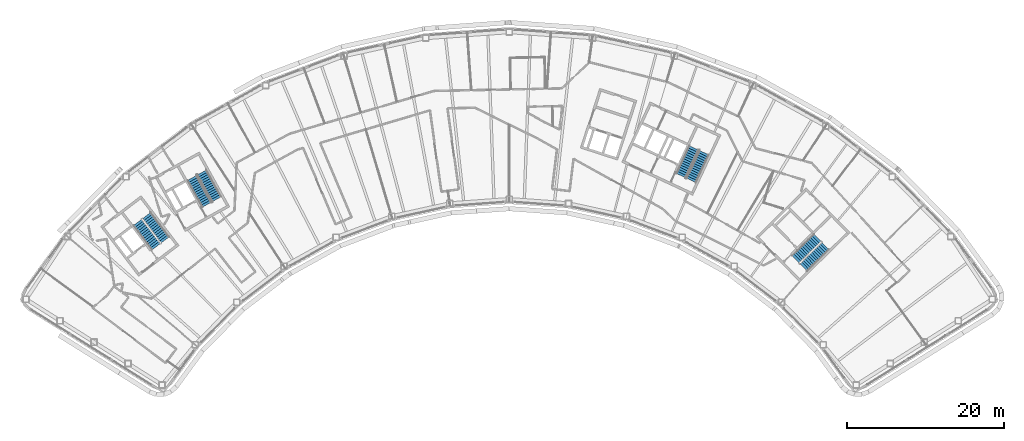
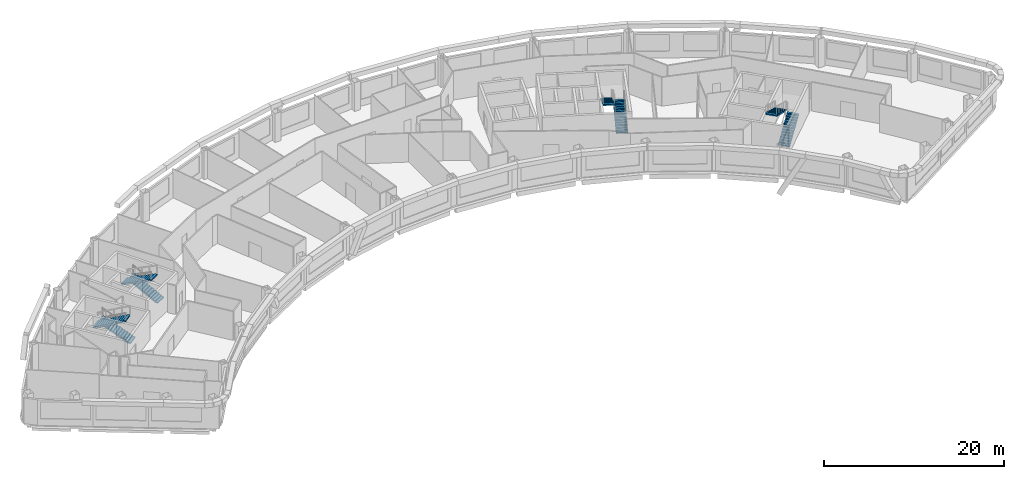
# One storey, part 12 of 14: 8 stair flights, 4 elements without a shape of their own.
"""IFC4 building model written with IfcOpenShell, lengths in metres."""

from ifc_helpers import new_model, si_unit, direction, frame, origin, place, context, subcontext, project, spatial, polyline, outline, extrude, material, type_object, element, aggregate, save


model = new_model("IFC4")

# Units and contexts
model_context = context("Model", 3, precision=1e-05, world=origin(), true_north=direction((0.0, 1.0)))
body_context = subcontext(model_context, "Body", "Model", "MODEL_VIEW")
ifc_project = project(units=[si_unit("LENGTHUNIT", "METRE"), si_unit("AREAUNIT", "SQUARE_METRE"), si_unit("VOLUMEUNIT", "CUBIC_METRE"), si_unit("PLANEANGLEUNIT", "RADIAN"), si_unit("MASSUNIT", "GRAM", prefix="KILO")], contexts=[model_context])

# Site, building, storey
site_placement = place(None, origin())
site = spatial("IfcSite", under=ifc_project, at=site_placement, CompositionType="ELEMENT")
building_placement = place(site_placement, origin())
building = spatial("IfcBuilding", under=site, at=building_placement, Name="Tuul Gate Civic Tower", CompositionType="ELEMENT")
storey_placement = place(building_placement, frame((0.0, 0.0, 269.39990234375)))
storey = spatial("IfcBuildingStorey", under=building, at=storey_placement, Name="Level 61", CompositionType="ELEMENT", Elevation=269.39990234375)

# Stair, stair flights
ifc_material_1 = material(Name="Concrete C40/50", Category="concrete")
stair_type = type_object("IfcStairType", Name="Exit stair", PredefinedType="HALF_TURN_STAIR", material=ifc_material_1)
stair_1_placement = place(storey_placement, origin())
stair_1 = element("IfcStair", 1, at=stair_1_placement, inside=storey, type_object=stair_type, Name="Level 61 ST-1", PredefinedType="HALF_TURN_STAIR")
ifc_material_2 = material(Name="Concrete C40/50", Category="concrete")
stair_flight_type = type_object("IfcStairFlightType", Name="Exit stair flight", PredefinedType="STRAIGHT", material=ifc_material_2)
stair_flight_1_placement = place(storey_placement, frame((-32.875244140625, -13.066650390625, 0.0), z_axis=(0.0, 0.0, 1.0), x_axis=(-0.605764474941, 0.795644016442, 0.0)))
stair_flight_1 = element("IfcStairFlight", 2, at=stair_flight_1_placement, type_object=stair_flight_type, Name="ST-1 flight 1", NumberOfRisers=14, NumberOfTreads=13, PredefinedType="STRAIGHT", RiserHeight=0.15, TreadLength=0.3, context=body_context, shape_type="SweptSolid", body=[
    extrude(outline(polyline([(0.0, 0.0), (0.0, 0.14990234375), (0.300048828125, 0.14990234375), (0.300048828125, 0.300048828125), (0.60009765625, 0.300048828125), (0.60009765625, 0.449951171875), (0.89990234375, 0.449951171875), (0.89990234375, 0.60009765625), (1.199951171875, 0.60009765625), (1.199951171875, 0.75), (1.5, 0.75), (1.5, 0.89990234375), (1.800048828125, 0.89990234375), (1.800048828125, 1.050048828125), (2.10009765625, 1.050048828125), (2.10009765625, 1.199951171875), (2.39990234375, 1.199951171875), (2.39990234375, 1.35009765625), (2.699951171875, 1.35009765625), (2.699951171875, 1.5), (3.0, 1.5), (3.0, 1.64990234375), (3.300048828125, 1.64990234375), (3.300048828125, 1.800048828125), (3.60009765625, 1.800048828125), (3.60009765625, 1.949951171875), (3.89990234375, 1.949951171875), (3.89990234375, 2.10009765625), (3.89990234375, 1.782470703125), (0.335205078125, 0.0), (0.0, 0.0)])), frame((0.0, 0.675048828125, 0.0), z_axis=(0.0, -1.0, 0.0), x_axis=(1.0, 0.0, 0.0)), (0.0, 0.0, 1.0), 1.35009765625),
])
stair_flight_2_placement = place(storey_placement, frame((-36.391357421875, -10.842041015625, 2.10009765625), z_axis=(0.0, 0.0, 1.0), x_axis=(0.605764474941, -0.795644016442, 0.0)))
stair_flight_2 = element("IfcStairFlight", 3, at=stair_flight_2_placement, type_object=stair_flight_type, Name="ST-1 flight 2", NumberOfRisers=14, NumberOfTreads=13, PredefinedType="STRAIGHT", RiserHeight=0.15, TreadLength=0.3, context=body_context, shape_type="SweptSolid", body=[
    extrude(outline(polyline([(0.0, 0.0), (0.0, 0.14990234375), (0.300048828125, 0.14990234375), (0.300048828125, 0.300048828125), (0.60009765625, 0.300048828125), (0.60009765625, 0.449951171875), (0.89990234375, 0.449951171875), (0.89990234375, 0.60009765625), (1.199951171875, 0.60009765625), (1.199951171875, 0.75), (1.5, 0.75), (1.5, 0.89990234375), (1.800048828125, 0.89990234375), (1.800048828125, 1.050048828125), (2.10009765625, 1.050048828125), (2.10009765625, 1.199951171875), (2.39990234375, 1.199951171875), (2.39990234375, 1.35009765625), (2.699951171875, 1.35009765625), (2.699951171875, 1.5), (3.0, 1.5), (3.0, 1.64990234375), (3.300048828125, 1.64990234375), (3.300048828125, 1.800048828125), (3.60009765625, 1.800048828125), (3.60009765625, 1.949951171875), (3.89990234375, 1.949951171875), (3.89990234375, 2.10009765625), (3.89990234375, 1.782470703125), (0.335205078125, 0.0), (0.0, 0.0)])), frame((0.0, 0.675048828125, 0.0), z_axis=(0.0, -1.0, 0.0), x_axis=(1.0, 0.0, 0.0)), (0.0, 0.0, 1.0), 1.35009765625),
])
aggregate(stair_1, [stair_flight_1, stair_flight_2])

stair_2_placement = place(storey_placement, origin())
stair_2 = element("IfcStair", 4, at=stair_2_placement, inside=storey, type_object=stair_type, Name="Level 61 ST-2", PredefinedType="HALF_TURN_STAIR")
stair_flight_3_placement = place(storey_placement, frame((-26.29150390625, -7.87646484375, 0.0), z_axis=(0.0, 0.0, 1.0), x_axis=(-0.484761763766, 0.874646232708, 0.0)))
stair_flight_3 = element("IfcStairFlight", 5, at=stair_flight_3_placement, type_object=stair_flight_type, Name="ST-2 flight 1", NumberOfRisers=14, NumberOfTreads=13, PredefinedType="STRAIGHT", RiserHeight=0.15, TreadLength=0.3, context=body_context, shape_type="SweptSolid", body=[
    extrude(outline(polyline([(0.0, 0.0), (0.0, 0.14990234375), (0.300048828125, 0.14990234375), (0.300048828125, 0.300048828125), (0.60009765625, 0.300048828125), (0.60009765625, 0.449951171875), (0.89990234375, 0.449951171875), (0.89990234375, 0.60009765625), (1.199951171875, 0.60009765625), (1.199951171875, 0.75), (1.5, 0.75), (1.5, 0.89990234375), (1.800048828125, 0.89990234375), (1.800048828125, 1.050048828125), (2.10009765625, 1.050048828125), (2.10009765625, 1.199951171875), (2.39990234375, 1.199951171875), (2.39990234375, 1.35009765625), (2.699951171875, 1.35009765625), (2.699951171875, 1.5), (3.0, 1.5), (3.0, 1.64990234375), (3.300048828125, 1.64990234375), (3.300048828125, 1.800048828125), (3.60009765625, 1.800048828125), (3.60009765625, 1.949951171875), (3.89990234375, 1.949951171875), (3.89990234375, 2.10009765625), (3.89990234375, 1.782470703125), (0.335205078125, 0.0), (0.0, 0.0)])), frame((0.0, 0.675048828125, 0.0), z_axis=(0.0, -1.0, 0.0), x_axis=(1.0, 0.0, 0.0)), (0.0, 0.0, 1.0), 1.35009765625),
])
stair_flight_4_placement = place(storey_placement, frame((-29.450439453125, -5.168212890625, 2.10009765625), z_axis=(0.0, 0.0, 1.0), x_axis=(0.484761763766, -0.874646232708, 0.0)))
stair_flight_4 = element("IfcStairFlight", 6, at=stair_flight_4_placement, type_object=stair_flight_type, Name="ST-2 flight 2", NumberOfRisers=14, NumberOfTreads=13, PredefinedType="STRAIGHT", RiserHeight=0.15, TreadLength=0.3, context=body_context, shape_type="SweptSolid", body=[
    extrude(outline(polyline([(0.0, 0.0), (0.0, 0.14990234375), (0.300048828125, 0.14990234375), (0.300048828125, 0.300048828125), (0.60009765625, 0.300048828125), (0.60009765625, 0.449951171875), (0.89990234375, 0.449951171875), (0.89990234375, 0.60009765625), (1.199951171875, 0.60009765625), (1.199951171875, 0.75), (1.5, 0.75), (1.5, 0.89990234375), (1.800048828125, 0.89990234375), (1.800048828125, 1.050048828125), (2.10009765625, 1.050048828125), (2.10009765625, 1.199951171875), (2.39990234375, 1.199951171875), (2.39990234375, 1.35009765625), (2.699951171875, 1.35009765625), (2.699951171875, 1.5), (3.0, 1.5), (3.0, 1.64990234375), (3.300048828125, 1.64990234375), (3.300048828125, 1.800048828125), (3.60009765625, 1.800048828125), (3.60009765625, 1.949951171875), (3.89990234375, 1.949951171875), (3.89990234375, 2.10009765625), (3.89990234375, 1.782470703125), (0.335205078125, 0.0), (0.0, 0.0)])), frame((0.0, 0.675048828125, 0.0), z_axis=(0.0, -1.0, 0.0), x_axis=(1.0, 0.0, 0.0)), (0.0, 0.0, 1.0), 1.35009765625),
])
aggregate(stair_2, [stair_flight_3, stair_flight_4])

stair_3_placement = place(storey_placement, origin())
stair_3 = element("IfcStair", 7, at=stair_3_placement, inside=storey, type_object=stair_type, Name="Level 61 ST-3", PredefinedType="HALF_TURN_STAIR")
stair_flight_5_placement = place(storey_placement, frame((48.61376953125, -16.581787109375, 0.0), z_axis=(0.0, 0.0, 1.0), x_axis=(0.714127290059, 0.700015866672, 0.0)))
stair_flight_5 = element("IfcStairFlight", 8, at=stair_flight_5_placement, type_object=stair_flight_type, Name="ST-3 flight 1", NumberOfRisers=14, NumberOfTreads=13, PredefinedType="STRAIGHT", RiserHeight=0.15, TreadLength=0.3, context=body_context, shape_type="SweptSolid", body=[
    extrude(outline(polyline([(0.0, 0.0), (0.0, 0.14990234375), (0.300048828125, 0.14990234375), (0.300048828125, 0.300048828125), (0.60009765625, 0.300048828125), (0.60009765625, 0.449951171875), (0.89990234375, 0.449951171875), (0.89990234375, 0.60009765625), (1.199951171875, 0.60009765625), (1.199951171875, 0.75), (1.5, 0.75), (1.5, 0.89990234375), (1.800048828125, 0.89990234375), (1.800048828125, 1.050048828125), (2.10009765625, 1.050048828125), (2.10009765625, 1.199951171875), (2.39990234375, 1.199951171875), (2.39990234375, 1.35009765625), (2.699951171875, 1.35009765625), (2.699951171875, 1.5), (3.0, 1.5), (3.0, 1.64990234375), (3.300048828125, 1.64990234375), (3.300048828125, 1.800048828125), (3.60009765625, 1.800048828125), (3.60009765625, 1.949951171875), (3.89990234375, 1.949951171875), (3.89990234375, 2.10009765625), (3.89990234375, 1.782470703125), (0.335205078125, 0.0), (0.0, 0.0)])), frame((0.0, 0.675048828125, 0.0), z_axis=(0.0, -1.0, 0.0), x_axis=(1.0, 0.0, 0.0)), (0.0, 0.0, 1.0), 1.35009765625),
])
stair_flight_6_placement = place(storey_placement, frame((50.3837890625, -12.816162109375, 2.10009765625), z_axis=(0.0, 0.0, 1.0), x_axis=(-0.714127290059, -0.700015866672, 0.0)))
stair_flight_6 = element("IfcStairFlight", 9, at=stair_flight_6_placement, type_object=stair_flight_type, Name="ST-3 flight 2", NumberOfRisers=14, NumberOfTreads=13, PredefinedType="STRAIGHT", RiserHeight=0.15, TreadLength=0.3, context=body_context, shape_type="SweptSolid", body=[
    extrude(outline(polyline([(0.0, 0.0), (0.0, 0.14990234375), (0.300048828125, 0.14990234375), (0.300048828125, 0.300048828125), (0.60009765625, 0.300048828125), (0.60009765625, 0.449951171875), (0.89990234375, 0.449951171875), (0.89990234375, 0.60009765625), (1.199951171875, 0.60009765625), (1.199951171875, 0.75), (1.5, 0.75), (1.5, 0.89990234375), (1.800048828125, 0.89990234375), (1.800048828125, 1.050048828125), (2.10009765625, 1.050048828125), (2.10009765625, 1.199951171875), (2.39990234375, 1.199951171875), (2.39990234375, 1.35009765625), (2.699951171875, 1.35009765625), (2.699951171875, 1.5), (3.0, 1.5), (3.0, 1.64990234375), (3.300048828125, 1.64990234375), (3.300048828125, 1.800048828125), (3.60009765625, 1.800048828125), (3.60009765625, 1.949951171875), (3.89990234375, 1.949951171875), (3.89990234375, 2.10009765625), (3.89990234375, 1.782470703125), (0.335205078125, 0.0), (0.0, 0.0)])), frame((0.0, 0.675048828125, 0.0), z_axis=(0.0, -1.0, 0.0), x_axis=(1.0, 0.0, 0.0)), (0.0, 0.0, 1.0), 1.35009765625),
])
aggregate(stair_3, [stair_flight_5, stair_flight_6])

stair_4_placement = place(storey_placement, origin())
stair_4 = element("IfcStair", 10, at=stair_4_placement, inside=storey, type_object=stair_type, Name="Level 61 ST-4", PredefinedType="HALF_TURN_STAIR")
stair_flight_7_placement = place(storey_placement, frame((34.278564453125, -5.478515625, 0.0), z_axis=(0.0, 0.0, 1.0), x_axis=(0.422576295988, 0.906327354806, 0.0)))
stair_flight_7 = element("IfcStairFlight", 11, at=stair_flight_7_placement, type_object=stair_flight_type, Name="ST-4 flight 1", NumberOfRisers=14, NumberOfTreads=13, PredefinedType="STRAIGHT", RiserHeight=0.15, TreadLength=0.3, context=body_context, shape_type="SweptSolid", body=[
    extrude(outline(polyline([(0.0, 0.0), (0.0, 0.14990234375), (0.300048828125, 0.14990234375), (0.300048828125, 0.300048828125), (0.60009765625, 0.300048828125), (0.60009765625, 0.449951171875), (0.89990234375, 0.449951171875), (0.89990234375, 0.60009765625), (1.199951171875, 0.60009765625), (1.199951171875, 0.75), (1.5, 0.75), (1.5, 0.89990234375), (1.800048828125, 0.89990234375), (1.800048828125, 1.050048828125), (2.10009765625, 1.050048828125), (2.10009765625, 1.199951171875), (2.39990234375, 1.199951171875), (2.39990234375, 1.35009765625), (2.699951171875, 1.35009765625), (2.699951171875, 1.5), (3.0, 1.5), (3.0, 1.64990234375), (3.300048828125, 1.64990234375), (3.300048828125, 1.800048828125), (3.60009765625, 1.800048828125), (3.60009765625, 1.949951171875), (3.89990234375, 1.949951171875), (3.89990234375, 2.10009765625), (3.89990234375, 1.782470703125), (0.335205078125, 0.0), (0.0, 0.0)])), frame((0.0, 0.675048828125, 0.0), z_axis=(0.0, -1.0, 0.0), x_axis=(1.0, 0.0, 0.0)), (0.0, 0.0, 1.0), 1.35009765625),
])
stair_flight_8_placement = place(storey_placement, frame((34.612548828125, -1.3310546875, 2.10009765625), z_axis=(0.0, 0.0, 1.0), x_axis=(-0.422576295988, -0.906327354806, 0.0)))
stair_flight_8 = element("IfcStairFlight", 12, at=stair_flight_8_placement, type_object=stair_flight_type, Name="ST-4 flight 2", NumberOfRisers=14, NumberOfTreads=13, PredefinedType="STRAIGHT", RiserHeight=0.15, TreadLength=0.3, context=body_context, shape_type="SweptSolid", body=[
    extrude(outline(polyline([(0.0, 0.0), (0.0, 0.14990234375), (0.300048828125, 0.14990234375), (0.300048828125, 0.300048828125), (0.60009765625, 0.300048828125), (0.60009765625, 0.449951171875), (0.89990234375, 0.449951171875), (0.89990234375, 0.60009765625), (1.199951171875, 0.60009765625), (1.199951171875, 0.75), (1.5, 0.75), (1.5, 0.89990234375), (1.800048828125, 0.89990234375), (1.800048828125, 1.050048828125), (2.10009765625, 1.050048828125), (2.10009765625, 1.199951171875), (2.39990234375, 1.199951171875), (2.39990234375, 1.35009765625), (2.699951171875, 1.35009765625), (2.699951171875, 1.5), (3.0, 1.5), (3.0, 1.64990234375), (3.300048828125, 1.64990234375), (3.300048828125, 1.800048828125), (3.60009765625, 1.800048828125), (3.60009765625, 1.949951171875), (3.89990234375, 1.949951171875), (3.89990234375, 2.10009765625), (3.89990234375, 1.782470703125), (0.335205078125, 0.0), (0.0, 0.0)])), frame((0.0, 0.675048828125, 0.0), z_axis=(0.0, -1.0, 0.0), x_axis=(1.0, 0.0, 0.0)), (0.0, 0.0, 1.0), 1.35009765625),
])
aggregate(stair_4, [stair_flight_7, stair_flight_8])

save(model, "model.ifc")
